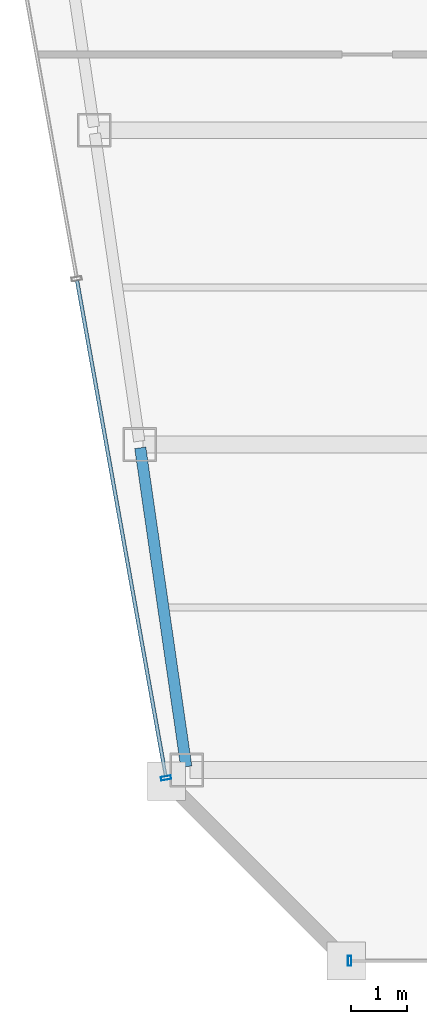
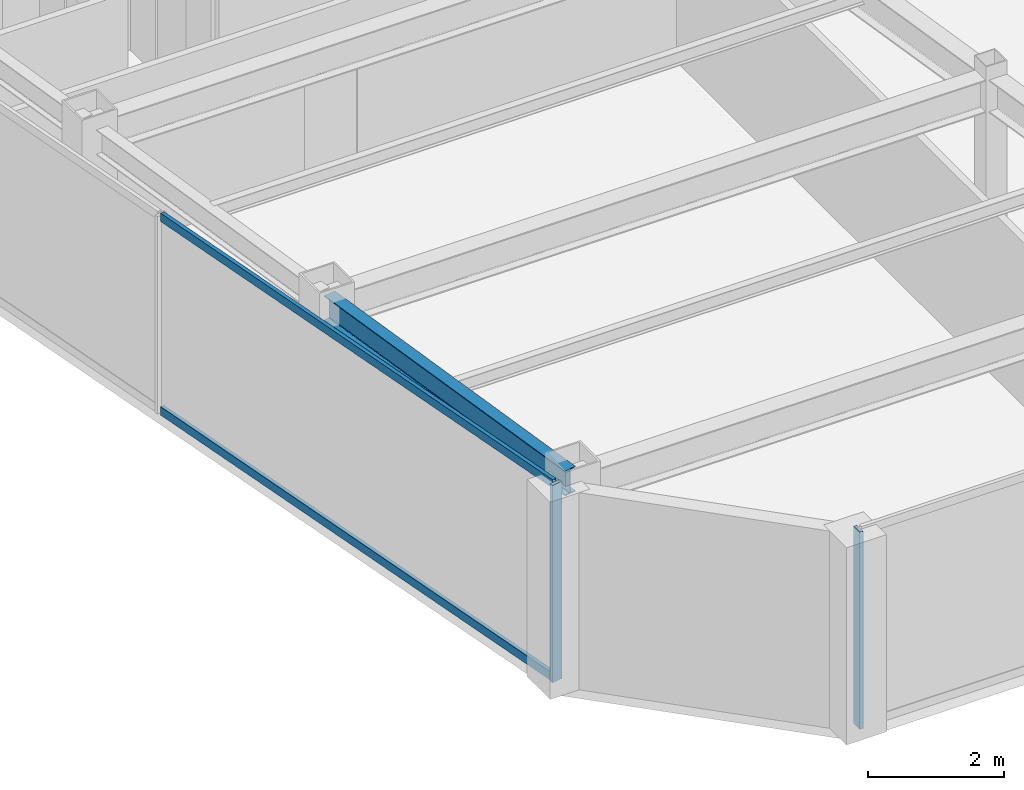
# One storey, part 3 of 32: 4 members, 1 beam, 2 elements without a shape of their own.
"""IFC4 building model written with IfcOpenShell, lengths in metres."""

from ifc_helpers import new_model, si_unit, direction, frame, origin, origin_2d, place, context, subcontext, project, spatial, hollow_rectangle, i_section, extrude, material, material_profile, profile_set, type_object, element, aggregate, save


model = new_model("IFC4")

# Units and contexts
model_context = context("Model", 3, precision=1e-05, world=origin(), true_north=direction((0.0, 1.0)))
body_context = subcontext(model_context, "Body", "Model", "MODEL_VIEW")
ifc_project = project(units=[si_unit("LENGTHUNIT", "METRE"), si_unit("AREAUNIT", "SQUARE_METRE"), si_unit("VOLUMEUNIT", "CUBIC_METRE"), si_unit("PLANEANGLEUNIT", "RADIAN"), si_unit("MASSUNIT", "GRAM", prefix="KILO")], contexts=[model_context])

# Site, building, storey
site_placement = place(None, origin())
site = spatial("IfcSite", under=ifc_project, at=site_placement, CompositionType="ELEMENT")
building_placement = place(site_placement, origin())
building = spatial("IfcBuilding", under=site, at=building_placement, Name="Saevonmaru Cultural Tower", CompositionType="ELEMENT")
storey_placement = place(building_placement, frame((0.0, 0.0, 264.800048828125)))
storey = spatial("IfcBuildingStorey", under=building, at=storey_placement, Name="L62", CompositionType="ELEMENT", Elevation=264.800048828125)

# Beam
ifc_material_1 = material(Name="Steel SM355", Category="steel")
ifc_material_profile_1 = material_profile(ifc_material_1, i_section(OverallWidth=0.199951171875, OverallDepth=0.449951171875, WebThickness=0.009033203125, FlangeThickness=0.013916015625, FilletRadius=0.01806640625, at=origin_2d()), Name="H-450x200x9x14")
ifc_profile_set_1 = profile_set([ifc_material_profile_1], Name="Steel SM355")
beam_type = type_object("IfcBeamType", Name="BM-SP-H450", PredefinedType="SPANDREL", material=ifc_profile_set_1)
beam_placement = place(storey_placement, frame((9.1455078125, 26.259521484375, 3.324951171875), z_axis=(-0.142826510921, 0.989747739466, 0.0), x_axis=(-0.989747739466, -0.142826510921, 0.0)))
element("IfcBeam", 1, at=beam_placement, inside=storey, type_object=beam_type, Name="L62 West Splayed Spandrel 1", PredefinedType="SPANDREL", context=body_context, shape_type="SweptSolid", body=[
    extrude(i_section(OverallWidth=0.199951171875, OverallDepth=0.449951171875, WebThickness=0.009033203125, FlangeThickness=0.013916015625, FilletRadius=0.01806640625, at=origin_2d()), origin(), (0.0, 0.0, 1.0), 5.739990234375),
])

# Curtain wall, member
ifc_material_2 = material(Name="Satin Bronze Anodised Aluminium", Category="aluminium")
curtain_wall_type = type_object("IfcCurtainWallType", Name="CW-TYP-B", PredefinedType="NOTDEFINED", material=ifc_material_2)
curtain_wall_1_placement = place(storey_placement, origin())
curtain_wall_1 = element("IfcCurtainWall", 2, at=curtain_wall_1_placement, inside=storey, type_object=curtain_wall_type, Name="L62 Unitised Curtain Wall E2", PredefinedType="NOTDEFINED")
ifc_material_profile_2 = material_profile(ifc_material_2, hollow_rectangle(XDim=0.06494140625, YDim=0.179931640625, WallThickness=0.00390625, at=origin_2d()), Name="ALU-MULL-180x65x4")
ifc_profile_set_2 = profile_set([ifc_material_profile_2], Name="Satin Bronze Anodised Aluminium")
member_type_1 = type_object("IfcMemberType", Name="ML-CW-180x65", PredefinedType="MULLION", material=ifc_profile_set_2)
member_1_placement = place(storey_placement, frame((12.0556640625, 22.800048828125, 0.0), z_axis=(0.0, 0.0, 1.0), x_axis=(1.0, 0.0, 0.0)))
member_1 = element("IfcMember", 3, at=member_1_placement, type_object=member_type_1, Name="CW-TW-L62-E2 mullion 1", PredefinedType="MULLION", context=body_context, shape_type="SweptSolid", body=[
    extrude(hollow_rectangle(XDim=0.06494140625, YDim=0.179931640625, WallThickness=0.00390625, at=origin_2d()), origin(), (0.0, 0.0, 1.0), 3.550048828125),
])
aggregate(curtain_wall_1, [member_1])

# Curtain wall, members
curtain_wall_2_placement = place(storey_placement, origin())
curtain_wall_2 = element("IfcCurtainWall", 4, at=curtain_wall_2_placement, inside=storey, type_object=curtain_wall_type, Name="L62 Unitised Curtain Wall E12", PredefinedType="NOTDEFINED")
member_2_placement = place(storey_placement, frame((8.784912109375, 26.05908203125, 0.0), z_axis=(0.0, 0.0, 1.0), x_axis=(0.176140740755, -0.984364993001, 0.0)))
member_2 = element("IfcMember", 5, at=member_2_placement, type_object=member_type_1, Name="CW-TW-L62-E12 mullion 4", PredefinedType="MULLION", context=body_context, shape_type="SweptSolid", body=[
    extrude(hollow_rectangle(XDim=0.06494140625, YDim=0.179931640625, WallThickness=0.00390625, at=origin_2d()), origin(), (0.0, 0.0, 1.0), 3.550048828125),
])
ifc_material_profile_3 = material_profile(ifc_material_2, hollow_rectangle(XDim=0.06494140625, YDim=0.14990234375, WallThickness=0.00390625, at=origin_2d()), Name="ALU-TRAN-150x65x4")
ifc_profile_set_3 = profile_set([ifc_material_profile_3], Name="Satin Bronze Anodised Aluminium")
member_type_2 = type_object("IfcMemberType", Name="TR-CW-150x65", PredefinedType="USERDEFINED", material=ifc_profile_set_3)
member_3_placement = place(storey_placement, frame((7.19921875, 34.921142578125, 0.032470703125), z_axis=(0.176144810911, -0.984364264685, 0.0), x_axis=(0.984364264685, 0.176144810911, 0.0)))
member_3 = element("IfcMember", 6, at=member_3_placement, type_object=member_type_2, Name="CW-TW-L62-E12 transom 3.1", ObjectType="TRANSOM", PredefinedType="USERDEFINED", context=body_context, shape_type="SweptSolid", body=[
    extrude(hollow_rectangle(XDim=0.06494140625, YDim=0.14990234375, WallThickness=0.00390625, at=origin_2d()), origin(), (0.0, 0.0, 1.0), 8.97021484375),
])
member_4_placement = place(storey_placement, frame((7.19921875, 34.921142578125, 3.517333984375), z_axis=(0.176144810911, -0.984364264685, 0.0), x_axis=(0.984364264685, 0.176144810911, 0.0)))
member_4 = element("IfcMember", 7, at=member_4_placement, type_object=member_type_2, Name="CW-TW-L62-E12 transom 3.2", ObjectType="TRANSOM", PredefinedType="USERDEFINED", context=body_context, shape_type="SweptSolid", body=[
    extrude(hollow_rectangle(XDim=0.06494140625, YDim=0.14990234375, WallThickness=0.00390625, at=origin_2d()), origin(), (0.0, 0.0, 1.0), 8.97021484375),
])
aggregate(curtain_wall_2, [member_2, member_3, member_4])

save(model, "model.ifc")
